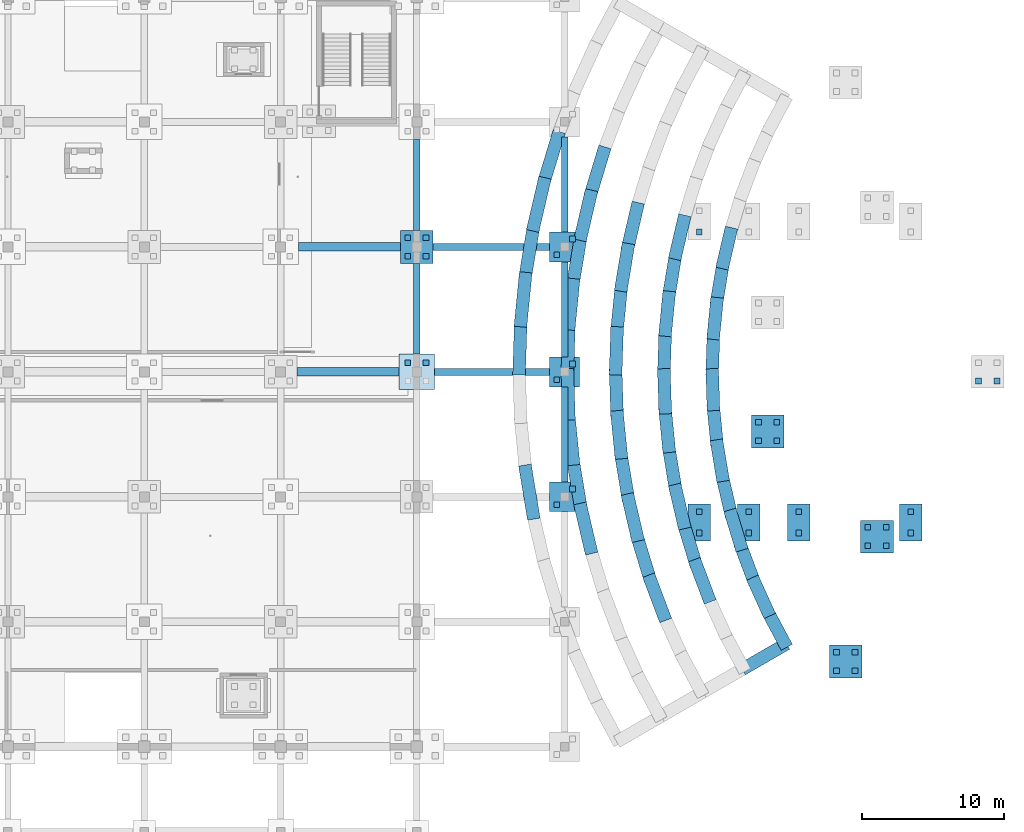
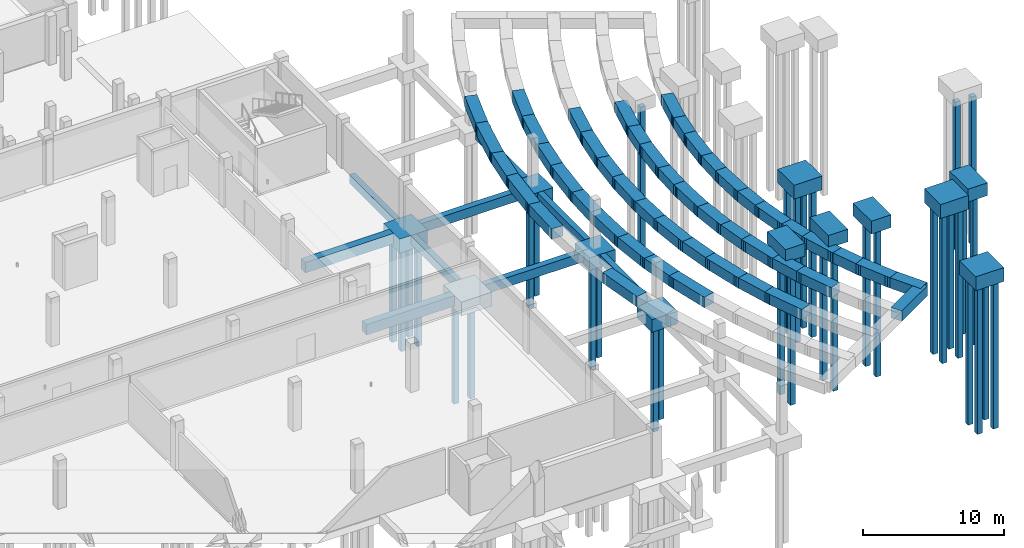
# One storey, part 9 of 31: 69 footings, 35 piles.
"""IFC4 building model written with IfcOpenShell, lengths in metres."""

from ifc_helpers import new_model, si_unit, direction, frame, origin, origin_2d, place, context, subcontext, project, spatial, rectangle, extrude, material, layer, layer_set, material_profile, profile_set, type_object, element, save


model = new_model("IFC4")

# Units and contexts
model_context = context("Model", 3, precision=1e-05, world=origin(), true_north=direction((0.0, 1.0)))
body_context = subcontext(model_context, "Body", "Model", "MODEL_VIEW")
ifc_project = project(units=[si_unit("LENGTHUNIT", "METRE"), si_unit("AREAUNIT", "SQUARE_METRE"), si_unit("VOLUMEUNIT", "CUBIC_METRE"), si_unit("PLANEANGLEUNIT", "RADIAN"), si_unit("MASSUNIT", "GRAM", prefix="KILO")], contexts=[model_context])

# Site, building, storey
site_placement = place(None, origin())
site = spatial("IfcSite", under=ifc_project, at=site_placement, CompositionType="ELEMENT")
building_placement = place(site_placement, origin())
building = spatial("IfcBuilding", under=site, at=building_placement, Name="Chalmorin Arch Market", CompositionType="ELEMENT")
storey_placement = place(building_placement, frame((0.0, 0.0, -4.199951171875)))
storey = spatial("IfcBuildingStorey", under=building, at=storey_placement, Name="B1", CompositionType="ELEMENT", Elevation=-4.199951171875)

# Piles
ifc_material_1 = material(Name="Precast concrete C50/60", Category="concrete")
ifc_material_profile = material_profile(ifc_material_1, rectangle(XDim=0.406005859375, YDim=0.406005859375, at=origin_2d()), Name="PPC406")
ifc_profile_set = profile_set([ifc_material_profile], Name="Precast concrete C50/60")
pile_type = type_object("IfcPileType", Name="DrivenSquarePile-406", PredefinedType="DRIVEN", material=ifc_profile_set)
for number, where, z_axis, x_axis, name in (
    (1, (124.14990234375, 33.050048828125, -1.10009765625), (0.0, 0.0, -1.0), (1.0, 0.0, 0.0), "P-406-705"),
    (2, (125.449951171875, 33.050048828125, -1.10009765625), (0.0, 0.0, -1.0), (1.0, 0.0, 0.0), "P-406-706"),
    (3, (124.14990234375, 40.550048828125, -1.10009765625), (0.0, 0.0, -1.0), (1.0, 0.0, 0.0), "P-406-707"),
    (4, (125.449951171875, 40.550048828125, -1.10009765625), (0.0, 0.0, -1.0), (1.0, 0.0, 0.0), "P-406-708"),
    (5, (124.14990234375, 41.85009765625, -1.10009765625), (0.0, 0.0, -1.0), (1.0, 0.0, 0.0), "P-406-709"),
    (6, (125.449951171875, 41.85009765625, -1.10009765625), (0.0, 0.0, -1.0), (1.0, 0.0, 0.0), "P-406-710"),
):
    element("IfcPile", number, at=place(storey_placement, frame(where, z_axis=z_axis, x_axis=x_axis)), inside=storey, type_object=pile_type, Name=name, PredefinedType="DRIVEN", context=body_context, shape_type="SweptSolid", body=[
        extrude(rectangle(XDim=0.406005859375, YDim=0.406005859375, at=origin_2d()), origin(), (0.0, 0.0, 1.0), 8.89990234375),
    ])
for number, where, z_axis, x_axis, name in (
    (7, (134.64990234375, 23.050048828125, -1.0), (0.0, 0.0, -1.0), (1.0, 0.0, 0.0), "P-406-725"),
    (8, (135.75, 24.14990234375, -1.0), (0.0, 0.0, -1.0), (1.0, 0.0, 0.0), "P-406-726"),
    (9, (134.64990234375, 31.85009765625, -1.0), (0.0, 0.0, -1.0), (1.0, 0.0, 0.0), "P-406-727"),
    (10, (135.75, 32.949951171875, -1.0), (0.0, 0.0, -1.0), (1.0, 0.0, 0.0), "P-406-728"),
    (11, (134.64990234375, 40.64990234375, -1.0), (0.0, 0.0, -1.0), (1.0, 0.0, 0.0), "P-406-729"),
    (12, (135.75, 41.75, -1.0), (0.0, 0.0, -1.0), (1.0, 0.0, 0.0), "P-406-730"),
):
    element("IfcPile", number, at=place(storey_placement, frame(where, z_axis=z_axis, x_axis=x_axis)), inside=storey, type_object=pile_type, Name=name, PredefinedType="DRIVEN", context=body_context, shape_type="SweptSolid", body=[
        extrude(rectangle(XDim=0.406005859375, YDim=0.406005859375, at=origin_2d()), origin(), (0.0, 0.0, 1.0), 9.0),
    ])
for number, where, z_axis, x_axis, name in (
    (13, (154.35009765625, 11.35009765625, 2.800048828125), (0.0, 0.0, -1.0), (1.0, 0.0, 0.0), "P-406-763"),
    (14, (155.64990234375, 11.35009765625, 2.800048828125), (0.0, 0.0, -1.0), (1.0, 0.0, 0.0), "P-406-764"),
    (15, (154.35009765625, 12.64990234375, 2.800048828125), (0.0, 0.0, -1.0), (1.0, 0.0, 0.0), "P-406-765"),
    (16, (155.64990234375, 12.64990234375, 2.800048828125), (0.0, 0.0, -1.0), (1.0, 0.0, 0.0), "P-406-766"),
    (17, (164.35009765625, 31.75, 2.800048828125), (0.0, 0.0, -1.0), (1.0, 0.0, 0.0), "P-406-767"),
    (18, (165.64990234375, 31.75, 2.800048828125), (0.0, 0.0, -1.0), (1.0, 0.0, 0.0), "P-406-768"),
    (19, (148.85009765625, 27.550048828125, 2.800048828125), (0.0, 0.0, -1.0), (1.0, 0.0, 0.0), "P-406-775"),
    (20, (150.14990234375, 27.550048828125, 2.800048828125), (0.0, 0.0, -1.0), (1.0, 0.0, 0.0), "P-406-776"),
    (21, (148.85009765625, 28.85009765625, 2.800048828125), (0.0, 0.0, -1.0), (1.0, 0.0, 0.0), "P-406-777"),
    (22, (150.14990234375, 28.85009765625, 2.800048828125), (0.0, 0.0, -1.0), (1.0, 0.0, 0.0), "P-406-778"),
):
    element("IfcPile", number, at=place(storey_placement, frame(where, z_axis=z_axis, x_axis=x_axis)), inside=storey, type_object=pile_type, Name=name, PredefinedType="DRIVEN", context=body_context, shape_type="SweptSolid", body=[
        extrude(rectangle(XDim=0.406005859375, YDim=0.406005859375, at=origin_2d()), origin(), (0.0, 0.0, 1.0), 12.800048828125),
    ])
for number, where, z_axis, x_axis, name in (
    (23, (156.550048828125, 20.14990234375, 2.919921875), (0.0, 0.0, -1.0), (1.0, 0.0, 0.0), "P-406-783"),
    (24, (157.85009765625, 20.14990234375, 2.919921875), (0.0, 0.0, -1.0), (1.0, 0.0, 0.0), "P-406-784"),
    (25, (156.550048828125, 21.449951171875, 2.919921875), (0.0, 0.0, -1.0), (1.0, 0.0, 0.0), "P-406-785"),
    (26, (157.85009765625, 21.449951171875, 2.919921875), (0.0, 0.0, -1.0), (1.0, 0.0, 0.0), "P-406-786"),
):
    element("IfcPile", number, at=place(storey_placement, frame(where, z_axis=z_axis, x_axis=x_axis)), inside=storey, type_object=pile_type, Name=name, PredefinedType="DRIVEN", context=body_context, shape_type="SweptSolid", body=[
        extrude(rectangle(XDim=0.406005859375, YDim=0.406005859375, at=origin_2d()), origin(), (0.0, 0.0, 1.0), 12.919921875),
    ])
for number, where, z_axis, x_axis, name in (
    (27, (159.574951171875, 21.050048828125, 2.8798828125), (0.0, 0.0, -1.0), (1.0, 0.0, 0.0), "P-406-1103"),
    (28, (159.574951171875, 22.550048828125, 2.8798828125), (0.0, 0.0, -1.0), (1.0, 0.0, 0.0), "P-406-1104"),
    (29, (151.68896484375, 21.050048828125, 2.8798828125), (0.0, 0.0, -1.0), (1.0, 0.0, 0.0), "P-406-1107"),
    (30, (151.68896484375, 22.550048828125, 2.8798828125), (0.0, 0.0, -1.0), (1.0, 0.0, 0.0), "P-406-1108"),
    (31, (148.178955078125, 21.050048828125, 2.8798828125), (0.0, 0.0, -1.0), (1.0, 0.0, 0.0), "P-406-1111"),
    (32, (148.178955078125, 22.550048828125, 2.8798828125), (0.0, 0.0, -1.0), (1.0, 0.0, 0.0), "P-406-1112"),
    (33, (144.68505859375, 21.050048828125, 2.8798828125), (0.0, 0.0, -1.0), (1.0, 0.0, 0.0), "P-406-1115"),
    (34, (144.68505859375, 22.550048828125, 2.8798828125), (0.0, 0.0, -1.0), (1.0, 0.0, 0.0), "P-406-1116"),
    (35, (144.68505859375, 42.25, 2.8798828125), (0.0, 0.0, -1.0), (1.0, 0.0, 0.0), "P-406-1117"),
):
    element("IfcPile", number, at=place(storey_placement, frame(where, z_axis=z_axis, x_axis=x_axis)), inside=storey, type_object=pile_type, Name=name, PredefinedType="DRIVEN", context=body_context, shape_type="SweptSolid", body=[
        extrude(rectangle(XDim=0.406005859375, YDim=0.406005859375, at=origin_2d()), origin(), (0.0, 0.0, 1.0), 12.8798828125),
    ])

# Footings
ifc_material_2 = material(Name="Concrete C40/50", Category="concrete")
ifc_layer_1 = layer(ifc_material_2, 0.75)
ifc_layer_set_1 = layer_set([ifc_layer_1], Name="Concrete C40/50")
footing_type_1 = type_object("IfcFootingType", Name="FoundationTieBeam-450x750-L6400", PredefinedType="FOOTING_BEAM", material=ifc_layer_set_1)
for number, where, z_axis, x_axis, name in (
    (36, (124.800048828125, 36.85009765625, -0.75), (0.0, 0.0, 1.0), (0.0, 1.0, 0.0), "FTB-03-341"),
    (37, (124.800048828125, 45.550048828125, -0.75), (0.0, 0.0, 1.0), (0.0, 1.0, 0.0), "FTB-03-342"),
):
    element("IfcFooting", number, at=place(storey_placement, frame(where, z_axis=z_axis, x_axis=x_axis)), inside=storey, type_object=footing_type_1, Name=name, PredefinedType="FOOTING_BEAM", context=body_context, shape_type="SweptSolid", body=[
        extrude(rectangle(XDim=6.39990234375, YDim=0.449951171875, at=origin_2d()), origin(), (0.0, 0.0, 1.0), 0.75),
    ])
ifc_layer_2 = layer(ifc_material_2, 0.75)
ifc_layer_set_2 = layer_set([ifc_layer_2], Name="Concrete C40/50")
footing_type_2 = type_object("IfcFootingType", Name="FoundationTieBeam-450x750-L6700", PredefinedType="FOOTING_BEAM", material=ifc_layer_set_2)
for number, where, z_axis, x_axis, name in (
    (38, (135.199951171875, 28.0, -0.75), (0.0, 0.0, 1.0), (0.0, 1.0, 0.0), "FTB-03-346"),
    (39, (135.199951171875, 36.800048828125, -0.75), (0.0, 0.0, 1.0), (0.0, 1.0, 0.0), "FTB-03-347"),
    (40, (135.199951171875, 45.60009765625, -0.75), (0.0, 0.0, 1.0), (0.0, 1.0, 0.0), "FTB-03-348"),
):
    element("IfcFooting", number, at=place(storey_placement, frame(where, z_axis=z_axis, x_axis=x_axis)), inside=storey, type_object=footing_type_2, Name=name, PredefinedType="FOOTING_BEAM", context=body_context, shape_type="SweptSolid", body=[
        extrude(rectangle(XDim=6.699951171875, YDim=0.449951171875, at=origin_2d()), origin(), (0.0, 0.0, 1.0), 0.75),
    ])
ifc_layer_3 = layer(ifc_material_2, 0.800048828125)
ifc_layer_set_3 = layer_set([ifc_layer_3], Name="Concrete C40/50")
footing_type_3 = type_object("IfcFootingType", Name="FoundationTieBeam-500x800-L8100", PredefinedType="FOOTING_BEAM", material=ifc_layer_set_3)
footing_1_placement = place(storey_placement, frame((130.10009765625, 32.39990234375, -0.80029296875), z_axis=(0.0, 0.0, 1.0), x_axis=(1.0, 0.0, 0.0)))
element("IfcFooting", 41, at=footing_1_placement, inside=storey, type_object=footing_type_3, Name="FTB-02-069", PredefinedType="FOOTING_BEAM", context=body_context, shape_type="SweptSolid", body=[
    extrude(rectangle(XDim=8.10009765625, YDim=0.5, at=origin_2d()), origin(), (0.0, 0.0, 1.0), 0.800048828125),
])
ifc_layer_4 = layer(ifc_material_2, 0.800048828125)
ifc_layer_set_4 = layer_set([ifc_layer_4], Name="Concrete C40/50")
footing_type_4 = type_object("IfcFootingType", Name="FoundationTieBeam-500x800-L8200", PredefinedType="FOOTING_BEAM", material=ifc_layer_set_4)
footing_2_placement = place(storey_placement, frame((130.050048828125, 41.199951171875, -0.80029296875), z_axis=(0.0, 0.0, 1.0), x_axis=(1.0, 0.0, 0.0)))
element("IfcFooting", 42, at=footing_2_placement, inside=storey, type_object=footing_type_4, Name="FTB-02-083", PredefinedType="FOOTING_BEAM", context=body_context, shape_type="SweptSolid", body=[
    extrude(rectangle(XDim=8.199951171875, YDim=0.5, at=origin_2d()), origin(), (0.0, 0.0, 1.0), 0.800048828125),
])
ifc_layer_5 = layer(ifc_material_2, 0.89990234375)
ifc_layer_set_5 = layer_set([ifc_layer_5], Name="Concrete C40/50")
footing_type_5 = type_object("IfcFootingType", Name="FoundationTieBeam-600x900", PredefinedType="FOOTING_BEAM", material=ifc_layer_set_5)
footing_3_placement = place(storey_placement, frame((146.623046875, 41.114990234375, 2.0), z_axis=(0.0, 0.0, 1.0), x_axis=(-0.226821294859, -0.973936394329, 0.0)))
element("IfcFooting", 43, at=footing_3_placement, inside=storey, type_object=footing_type_5, Name="FTB-A105", PredefinedType="FOOTING_BEAM", context=body_context, shape_type="SweptSolid", body=[
    extrude(rectangle(XDim=2.96337890625, YDim=0.89990234375, at=origin_2d()), origin(), (0.0, 0.0, 1.0), 0.89990234375),
])
footing_4_placement = place(storey_placement, frame((146.133544921875, 38.651611328125, 2.0), z_axis=(0.0, 0.0, 1.0), x_axis=(-0.162809371901, -0.98665754364, 0.0)))
element("IfcFooting", 44, at=footing_4_placement, inside=storey, type_object=footing_type_5, Name="FTB-A106", PredefinedType="FOOTING_BEAM", context=body_context, shape_type="SweptSolid", body=[
    extrude(rectangle(XDim=2.96240234375, YDim=0.89990234375, at=origin_2d()), origin(), (0.0, 0.0, 1.0), 0.89990234375),
])
footing_5_placement = place(storey_placement, frame((145.805419921875, 36.16162109375, 2.0), z_axis=(0.0, 0.0, 1.0), x_axis=(-0.09827767572, -0.995159031741, 0.0)))
element("IfcFooting", 45, at=footing_5_placement, inside=storey, type_object=footing_type_5, Name="FTB-A107", PredefinedType="FOOTING_BEAM", context=body_context, shape_type="SweptSolid", body=[
    extrude(rectangle(XDim=2.963134765625, YDim=0.89990234375, at=origin_2d()), origin(), (0.0, 0.0, 1.0), 0.89990234375),
])
for number, where, z_axis, x_axis, name in (
    (46, (145.64111328125, 33.655517578125, 2.0), (0.0, 0.0, 1.0), (-0.032631862958, -0.999467438949, 0.0), "FTB-A108"),
    (47, (145.64111328125, 31.14453125, 2.0), (0.0, 0.0, 1.0), (0.032631862958, -0.999467438949, 0.0), "FTB-A109"),
):
    element("IfcFooting", number, at=place(storey_placement, frame(where, z_axis=z_axis, x_axis=x_axis)), inside=storey, type_object=footing_type_5, Name=name, PredefinedType="FOOTING_BEAM", context=body_context, shape_type="SweptSolid", body=[
        extrude(rectangle(XDim=2.96240234375, YDim=0.89990234375, at=origin_2d()), origin(), (0.0, 0.0, 1.0), 0.89990234375),
    ])
footing_6_placement = place(storey_placement, frame((145.805419921875, 28.638427734375, 2.0), z_axis=(0.0, 0.0, 1.0), x_axis=(0.09827767572, -0.995159031741, 0.0)))
element("IfcFooting", 48, at=footing_6_placement, inside=storey, type_object=footing_type_5, Name="FTB-A110", PredefinedType="FOOTING_BEAM", context=body_context, shape_type="SweptSolid", body=[
    extrude(rectangle(XDim=2.963134765625, YDim=0.89990234375, at=origin_2d()), origin(), (0.0, 0.0, 1.0), 0.89990234375),
])
footing_7_placement = place(storey_placement, frame((146.133544921875, 26.1484375, 2.0), z_axis=(0.0, 0.0, 1.0), x_axis=(0.162809371901, -0.98665754364, 0.0)))
element("IfcFooting", 49, at=footing_7_placement, inside=storey, type_object=footing_type_5, Name="FTB-A111", PredefinedType="FOOTING_BEAM", context=body_context, shape_type="SweptSolid", body=[
    extrude(rectangle(XDim=2.96240234375, YDim=0.89990234375, at=origin_2d()), origin(), (0.0, 0.0, 1.0), 0.89990234375),
])
footing_8_placement = place(storey_placement, frame((146.623046875, 23.68505859375, 2.0), z_axis=(0.0, 0.0, 1.0), x_axis=(0.226821294859, -0.973936394329, 0.0)))
element("IfcFooting", 50, at=footing_8_placement, inside=storey, type_object=footing_type_5, Name="FTB-A112", PredefinedType="FOOTING_BEAM", context=body_context, shape_type="SweptSolid", body=[
    extrude(rectangle(XDim=2.96337890625, YDim=0.89990234375, at=origin_2d()), origin(), (0.0, 0.0, 1.0), 0.89990234375),
])
footing_9_placement = place(storey_placement, frame((147.27294921875, 21.259033203125, 2.0), z_axis=(0.0, 0.0, 1.0), x_axis=(0.290535193698, -0.956864306588, 0.0)))
element("IfcFooting", 51, at=footing_9_placement, inside=storey, type_object=footing_type_5, Name="FTB-A113", PredefinedType="FOOTING_BEAM", context=body_context, shape_type="SweptSolid", body=[
    extrude(rectangle(XDim=2.96240234375, YDim=0.89990234375, at=origin_2d()), origin(), (0.0, 0.0, 1.0), 0.89990234375),
])
for number, where, z_axis, x_axis, name in (
    (52, (148.08056640625, 18.881103515625, 2.0), (0.0, 0.0, 1.0), (0.352168373381, -0.935936662809, 0.0), "FTB-A114"),
    (53, (149.04150390625, 16.560546875, 2.0), (0.0, 0.0, 1.0), (0.412627540369, -0.910899836935, 0.0), "FTB-A115"),
    (54, (150.152587890625, 14.30810546875, 2.0), (0.0, 0.0, 1.0), (0.471627607116, -0.88179782275, 0.0), "FTB-A116"),
):
    element("IfcFooting", number, at=place(storey_placement, frame(where, z_axis=z_axis, x_axis=x_axis)), inside=storey, type_object=footing_type_5, Name=name, PredefinedType="FOOTING_BEAM", context=body_context, shape_type="SweptSolid", body=[
        extrude(rectangle(XDim=2.962890625, YDim=0.89990234375, at=origin_2d()), origin(), (0.0, 0.0, 1.0), 0.89990234375),
    ])
for number, where, z_axis, x_axis, name in (
    (55, (143.3134765625, 41.886962890625, 2.0), (0.0, 0.0, 1.0), (-0.226991275371, -0.973896791711, 0.0), "FTB-A205"),
    (56, (142.780517578125, 39.20556640625, 2.0), (0.0, 0.0, 1.0), (-0.162637165195, -0.986685944208, 0.0), "FTB-A206"),
    (57, (142.423583984375, 36.4951171875, 2.0), (0.0, 0.0, 1.0), (-0.09827767572, -0.995159031741, 0.0), "FTB-A207"),
    (58, (142.244384765625, 33.76708984375, 2.0), (0.0, 0.0, 1.0), (-0.032457422486, -0.999473119061, 0.0), "FTB-A208"),
    (59, (142.244384765625, 31.032958984375, 2.0), (0.0, 0.0, 1.0), (0.032457422486, -0.999473119061, 0.0), "FTB-A209"),
    (60, (142.423583984375, 28.304931640625, 2.0), (0.0, 0.0, 1.0), (0.09827767572, -0.995159031741, 0.0), "FTB-A210"),
    (61, (142.780517578125, 25.594482421875, 2.0), (0.0, 0.0, 1.0), (0.162637165195, -0.986685944208, 0.0), "FTB-A211"),
    (62, (143.3134765625, 22.9130859375, 2.0), (0.0, 0.0, 1.0), (0.226991275371, -0.973896791711, 0.0), "FTB-A212"),
):
    element("IfcFooting", number, at=place(storey_placement, frame(where, z_axis=z_axis, x_axis=x_axis)), inside=storey, type_object=footing_type_5, Name=name, PredefinedType="FOOTING_BEAM", context=body_context, shape_type="SweptSolid", body=[
        extrude(rectangle(XDim=3.185302734375, YDim=0.89990234375, at=origin_2d()), origin(), (0.0, 0.0, 1.0), 0.89990234375),
    ])
footing_10_placement = place(storey_placement, frame((144.02099609375, 20.2724609375, 2.0), z_axis=(0.0, 0.0, 1.0), x_axis=(0.290368184947, -0.956914999972, 0.0)))
element("IfcFooting", 63, at=footing_10_placement, inside=storey, type_object=footing_type_5, Name="FTB-A213", PredefinedType="FOOTING_BEAM", context=body_context, shape_type="SweptSolid", body=[
    extrude(rectangle(XDim=3.184814453125, YDim=0.89990234375, at=origin_2d()), origin(), (0.0, 0.0, 1.0), 0.89990234375),
])
footing_11_placement = place(storey_placement, frame((144.89990234375, 17.68408203125, 2.0), z_axis=(0.0, 0.0, 1.0), x_axis=(0.352331719779, -0.935875183578, 0.0)))
element("IfcFooting", 64, at=footing_11_placement, inside=storey, type_object=footing_type_5, Name="FTB-A214", PredefinedType="FOOTING_BEAM", context=body_context, shape_type="SweptSolid", body=[
    extrude(rectangle(XDim=3.185546875, YDim=0.89990234375, at=origin_2d()), origin(), (0.0, 0.0, 1.0), 0.89990234375),
])
footing_12_placement = place(storey_placement, frame((140.00439453125, 42.658447265625, 2.0), z_axis=(0.0, 0.0, 1.0), x_axis=(-0.226821294859, -0.973936394329, 0.0)))
element("IfcFooting", 65, at=footing_12_placement, inside=storey, type_object=footing_type_5, Name="FTB-A305", PredefinedType="FOOTING_BEAM", context=body_context, shape_type="SweptSolid", body=[
    extrude(rectangle(XDim=3.408203125, YDim=0.89990234375, at=origin_2d()), origin(), (0.0, 0.0, 1.0), 0.89990234375),
])
footing_13_placement = place(storey_placement, frame((139.427978515625, 39.759033203125, 2.0), z_axis=(0.0, 0.0, 1.0), x_axis=(-0.162981573648, -0.986629113016, 0.0)))
element("IfcFooting", 66, at=footing_13_placement, inside=storey, type_object=footing_type_5, Name="FTB-A306", PredefinedType="FOOTING_BEAM", context=body_context, shape_type="SweptSolid", body=[
    extrude(rectangle(XDim=3.407470703125, YDim=0.89990234375, at=origin_2d()), origin(), (0.0, 0.0, 1.0), 0.89990234375),
])
footing_14_placement = place(storey_placement, frame((139.0419921875, 36.827880859375, 2.0), z_axis=(0.0, 0.0, 1.0), x_axis=(-0.098103986207, -0.995176169274, 0.0)))
element("IfcFooting", 67, at=footing_14_placement, inside=storey, type_object=footing_type_5, Name="FTB-A307", PredefinedType="FOOTING_BEAM", context=body_context, shape_type="SweptSolid", body=[
    extrude(rectangle(XDim=3.408203125, YDim=0.89990234375, at=origin_2d()), origin(), (0.0, 0.0, 1.0), 0.89990234375),
])
for number, where, z_axis, x_axis, name in (
    (68, (138.848388671875, 33.8779296875, 2.0), (0.0, 0.0, 1.0), (-0.032806302436, -0.999461728392, 0.0), "FTB-A308"),
    (69, (138.848388671875, 30.922119140625, 2.0), (0.0, 0.0, 1.0), (0.032806302436, -0.999461728392, 0.0), "FTB-A309"),
):
    element("IfcFooting", number, at=place(storey_placement, frame(where, z_axis=z_axis, x_axis=x_axis)), inside=storey, type_object=footing_type_5, Name=name, PredefinedType="FOOTING_BEAM", context=body_context, shape_type="SweptSolid", body=[
        extrude(rectangle(XDim=3.40771484375, YDim=0.89990234375, at=origin_2d()), origin(), (0.0, 0.0, 1.0), 0.89990234375),
    ])
footing_15_placement = place(storey_placement, frame((139.0419921875, 27.971923828125, 2.0), z_axis=(0.0, 0.0, 1.0), x_axis=(0.098103986207, -0.995176169274, 0.0)))
element("IfcFooting", 70, at=footing_15_placement, inside=storey, type_object=footing_type_5, Name="FTB-A310", PredefinedType="FOOTING_BEAM", context=body_context, shape_type="SweptSolid", body=[
    extrude(rectangle(XDim=3.408203125, YDim=0.89990234375, at=origin_2d()), origin(), (0.0, 0.0, 1.0), 0.89990234375),
])
footing_16_placement = place(storey_placement, frame((139.427978515625, 25.041015625, 2.0), z_axis=(0.0, 0.0, 1.0), x_axis=(0.162981573648, -0.986629113016, 0.0)))
element("IfcFooting", 71, at=footing_16_placement, inside=storey, type_object=footing_type_5, Name="FTB-A311", PredefinedType="FOOTING_BEAM", context=body_context, shape_type="SweptSolid", body=[
    extrude(rectangle(XDim=3.407470703125, YDim=0.89990234375, at=origin_2d()), origin(), (0.0, 0.0, 1.0), 0.89990234375),
])
footing_17_placement = place(storey_placement, frame((140.00439453125, 22.1416015625, 2.0), z_axis=(0.0, 0.0, 1.0), x_axis=(0.226821294859, -0.973936394329, 0.0)))
element("IfcFooting", 72, at=footing_17_placement, inside=storey, type_object=footing_type_5, Name="FTB-A312", PredefinedType="FOOTING_BEAM", context=body_context, shape_type="SweptSolid", body=[
    extrude(rectangle(XDim=3.408203125, YDim=0.89990234375, at=origin_2d()), origin(), (0.0, 0.0, 1.0), 0.89990234375),
])
footing_18_placement = place(storey_placement, frame((140.76953125, 19.285888671875, 2.0), z_axis=(0.0, 0.0, 1.0), x_axis=(0.290368184947, -0.956914999972, 0.0)))
element("IfcFooting", 73, at=footing_18_placement, inside=storey, type_object=footing_type_5, Name="FTB-A313", PredefinedType="FOOTING_BEAM", context=body_context, shape_type="SweptSolid", body=[
    extrude(rectangle(XDim=3.407470703125, YDim=0.89990234375, at=origin_2d()), origin(), (0.0, 0.0, 1.0), 0.89990234375),
])
footing_19_placement = place(storey_placement, frame((141.719970703125, 16.487060546875, 2.0), z_axis=(0.0, 0.0, 1.0), x_axis=(0.352331719779, -0.935875183578, 0.0)))
element("IfcFooting", 74, at=footing_19_placement, inside=storey, type_object=footing_type_5, Name="FTB-A314", PredefinedType="FOOTING_BEAM", context=body_context, shape_type="SweptSolid", body=[
    extrude(rectangle(XDim=3.40771484375, YDim=0.89990234375, at=origin_2d()), origin(), (0.0, 0.0, 1.0), 0.89990234375),
])
footing_20_placement = place(storey_placement, frame((137.517578125, 46.50048828125, 2.0), z_axis=(0.0, 0.0, 1.0), x_axis=(-0.290201167351, -0.956965664205, 0.0)))
element("IfcFooting", 75, at=footing_20_placement, inside=storey, type_object=footing_type_5, Name="FTB-A404", PredefinedType="FOOTING_BEAM", context=body_context, shape_type="SweptSolid", body=[
    extrude(rectangle(XDim=3.6298828125, YDim=0.89990234375, at=origin_2d()), origin(), (0.0, 0.0, 1.0), 0.89990234375),
])
footing_21_placement = place(storey_placement, frame((136.695068359375, 43.429931640625, 2.0), z_axis=(0.0, 0.0, 1.0), x_axis=(-0.226991275371, -0.973896791711, 0.0)))
element("IfcFooting", 76, at=footing_21_placement, inside=storey, type_object=footing_type_5, Name="FTB-A405", PredefinedType="FOOTING_BEAM", context=body_context, shape_type="SweptSolid", body=[
    extrude(rectangle(XDim=3.631103515625, YDim=0.89990234375, at=origin_2d()), origin(), (0.0, 0.0, 1.0), 0.89990234375),
])
footing_22_placement = place(storey_placement, frame((136.074951171875, 40.3125, 2.0), z_axis=(0.0, 0.0, 1.0), x_axis=(-0.162981573648, -0.986629113016, 0.0)))
element("IfcFooting", 77, at=footing_22_placement, inside=storey, type_object=footing_type_5, Name="FTB-A406", PredefinedType="FOOTING_BEAM", context=body_context, shape_type="SweptSolid", body=[
    extrude(rectangle(XDim=3.62939453125, YDim=0.89990234375, at=origin_2d()), origin(), (0.0, 0.0, 1.0), 0.89990234375),
])
footing_23_placement = place(storey_placement, frame((135.659912109375, 37.16162109375, 2.0), z_axis=(0.0, 0.0, 1.0), x_axis=(-0.098103986207, -0.995176169274, 0.0)))
element("IfcFooting", 78, at=footing_23_placement, inside=storey, type_object=footing_type_5, Name="FTB-A407", PredefinedType="FOOTING_BEAM", context=body_context, shape_type="SweptSolid", body=[
    extrude(rectangle(XDim=3.63037109375, YDim=0.89990234375, at=origin_2d()), origin(), (0.0, 0.0, 1.0), 0.89990234375),
])
for number, where, z_axis, x_axis, name in (
    (79, (135.451904296875, 33.989501953125, 2.0), (0.0, 0.0, 1.0), (-0.032631862958, -0.999467438949, 0.0), "FTB-A408"),
    (80, (135.451904296875, 30.810546875, 2.0), (0.0, 0.0, 1.0), (0.032631862958, -0.999467438949, 0.0), "FTB-A409"),
):
    element("IfcFooting", number, at=place(storey_placement, frame(where, z_axis=z_axis, x_axis=x_axis)), inside=storey, type_object=footing_type_5, Name=name, PredefinedType="FOOTING_BEAM", context=body_context, shape_type="SweptSolid", body=[
        extrude(rectangle(XDim=3.630615234375, YDim=0.89990234375, at=origin_2d()), origin(), (0.0, 0.0, 1.0), 0.89990234375),
    ])
footing_24_placement = place(storey_placement, frame((135.659912109375, 27.638427734375, 2.0), z_axis=(0.0, 0.0, 1.0), x_axis=(0.098103986207, -0.995176169274, 0.0)))
element("IfcFooting", 81, at=footing_24_placement, inside=storey, type_object=footing_type_5, Name="FTB-A410", PredefinedType="FOOTING_BEAM", context=body_context, shape_type="SweptSolid", body=[
    extrude(rectangle(XDim=3.63037109375, YDim=0.89990234375, at=origin_2d()), origin(), (0.0, 0.0, 1.0), 0.89990234375),
])
footing_25_placement = place(storey_placement, frame((136.074951171875, 24.487548828125, 2.0), z_axis=(0.0, 0.0, 1.0), x_axis=(0.162981573648, -0.986629113016, 0.0)))
element("IfcFooting", 82, at=footing_25_placement, inside=storey, type_object=footing_type_5, Name="FTB-A411", PredefinedType="FOOTING_BEAM", context=body_context, shape_type="SweptSolid", body=[
    extrude(rectangle(XDim=3.62939453125, YDim=0.89990234375, at=origin_2d()), origin(), (0.0, 0.0, 1.0), 0.89990234375),
])
footing_26_placement = place(storey_placement, frame((136.695068359375, 21.3701171875, 2.0), z_axis=(0.0, 0.0, 1.0), x_axis=(0.226991275371, -0.973896791711, 0.0)))
element("IfcFooting", 83, at=footing_26_placement, inside=storey, type_object=footing_type_5, Name="FTB-A412", PredefinedType="FOOTING_BEAM", context=body_context, shape_type="SweptSolid", body=[
    extrude(rectangle(XDim=3.631103515625, YDim=0.89990234375, at=origin_2d()), origin(), (0.0, 0.0, 1.0), 0.89990234375),
])
footing_27_placement = place(storey_placement, frame((134.26611328125, 47.487060546875, 2.0), z_axis=(0.0, 0.0, 1.0), x_axis=(-0.290368184947, -0.956914999972, 0.0)))
element("IfcFooting", 84, at=footing_27_placement, inside=storey, type_object=footing_type_5, Name="FTB-A504", PredefinedType="FOOTING_BEAM", context=body_context, shape_type="SweptSolid", body=[
    extrude(rectangle(XDim=3.8525390625, YDim=0.89990234375, at=origin_2d()), origin(), (0.0, 0.0, 1.0), 0.89990234375),
])
footing_28_placement = place(storey_placement, frame((133.385498046875, 44.201904296875, 2.0), z_axis=(0.0, 0.0, 1.0), x_axis=(-0.227161248969, -0.973857159427, 0.0)))
element("IfcFooting", 85, at=footing_28_placement, inside=storey, type_object=footing_type_5, Name="FTB-A505", PredefinedType="FOOTING_BEAM", context=body_context, shape_type="SweptSolid", body=[
    extrude(rectangle(XDim=3.85302734375, YDim=0.89990234375, at=origin_2d()), origin(), (0.0, 0.0, 1.0), 0.89990234375),
])
footing_29_placement = place(storey_placement, frame((132.721923828125, 40.865966796875, 2.0), z_axis=(0.0, 0.0, 1.0), x_axis=(-0.162809371901, -0.98665754364, 0.0)))
element("IfcFooting", 86, at=footing_29_placement, inside=storey, type_object=footing_type_5, Name="FTB-A506", PredefinedType="FOOTING_BEAM", context=body_context, shape_type="SweptSolid", body=[
    extrude(rectangle(XDim=3.853515625, YDim=0.89990234375, at=origin_2d()), origin(), (0.0, 0.0, 1.0), 0.89990234375),
])
footing_30_placement = place(storey_placement, frame((132.278076171875, 37.493896484375, 2.0), z_axis=(0.0, 0.0, 1.0), x_axis=(-0.098103986207, -0.995176169274, 0.0)))
element("IfcFooting", 87, at=footing_30_placement, inside=storey, type_object=footing_type_5, Name="FTB-A507", PredefinedType="FOOTING_BEAM", context=body_context, shape_type="SweptSolid", body=[
    extrude(rectangle(XDim=3.852294921875, YDim=0.89990234375, at=origin_2d()), origin(), (0.0, 0.0, 1.0), 0.89990234375),
])
footing_31_placement = place(storey_placement, frame((132.055419921875, 34.1005859375, 2.0), z_axis=(0.0, 0.0, 1.0), x_axis=(-0.032631862958, -0.999467438949, 0.0)))
element("IfcFooting", 88, at=footing_31_placement, inside=storey, type_object=footing_type_5, Name="FTB-A508", PredefinedType="FOOTING_BEAM", context=body_context, shape_type="SweptSolid", body=[
    extrude(rectangle(XDim=3.852783203125, YDim=0.89990234375, at=origin_2d()), origin(), (0.0, 0.0, 1.0), 0.89990234375),
])
footing_32_placement = place(storey_placement, frame((132.721923828125, 23.93408203125, 2.0), z_axis=(0.0, 0.0, 1.0), x_axis=(0.162809371901, -0.98665754364, 0.0)))
element("IfcFooting", 89, at=footing_32_placement, inside=storey, type_object=footing_type_5, Name="FTB-A511", PredefinedType="FOOTING_BEAM", context=body_context, shape_type="SweptSolid", body=[
    extrude(rectangle(XDim=3.853515625, YDim=0.89990234375, at=origin_2d()), origin(), (0.0, 0.0, 1.0), 0.89990234375),
])
footing_33_placement = place(storey_placement, frame((149.2724609375, 12.35009765625, 2.0), z_axis=(0.0, 0.0, 1.0), x_axis=(-0.866025403784, -0.5, 0.0)))
element("IfcFooting", 90, at=footing_33_placement, inside=storey, type_object=footing_type_5, Name="FTB-FNN1", PredefinedType="FOOTING_BEAM", context=body_context, shape_type="SweptSolid", body=[
    extrude(rectangle(XDim=3.619873046875, YDim=0.89990234375, at=origin_2d()), origin(), (0.0, 0.0, 1.0), 0.89990234375),
])
ifc_layer_6 = layer(ifc_material_2, 0.89990234375)
ifc_layer_set_6 = layer_set([ifc_layer_6], Name="Concrete C40/50")
footing_type_6 = type_object("IfcFootingType", Name="FoundationTieBeam-600x900-L7200", PredefinedType="FOOTING_BEAM", material=ifc_layer_set_6)
for number, where, z_axis, x_axis, name in (
    (91, (119.949951171875, 32.39990234375, -0.89990234375), (0.0, 0.0, 1.0), (1.0, 0.0, 0.0), "FTB-01-068"),
    (92, (120.050048828125, 41.199951171875, -0.89990234375), (0.0, 0.0, 1.0), (1.0, 0.0, 0.0), "FTB-01-082"),
):
    element("IfcFooting", number, at=place(storey_placement, frame(where, z_axis=z_axis, x_axis=x_axis)), inside=storey, type_object=footing_type_6, Name=name, PredefinedType="FOOTING_BEAM", context=body_context, shape_type="SweptSolid", body=[
        extrude(rectangle(XDim=7.199951171875, YDim=0.60009765625, at=origin_2d()), origin(), (0.0, 0.0, 1.0), 0.89990234375),
    ])
ifc_layer_7 = layer(ifc_material_2, 1.10009765625)
ifc_layer_set_7 = layer_set([ifc_layer_7], Name="Concrete C40/50")
footing_type_7 = type_object("IfcFootingType", Name="MultiPileCap-2100x2100x1100", PredefinedType="PILE_CAP", material=ifc_layer_set_7)
for number, where, z_axis, x_axis, name in (
    (93, (135.199951171875, 23.60009765625, -1.10009765625), (0.0, 0.0, 1.0), (1.0, 0.0, 0.0), "PC-03-188"),
    (94, (135.199951171875, 32.39990234375, -1.10009765625), (0.0, 0.0, 1.0), (1.0, 0.0, 0.0), "PC-03-189"),
    (95, (135.199951171875, 41.199951171875, -1.10009765625), (0.0, 0.0, 1.0), (1.0, 0.0, 0.0), "PC-03-190"),
):
    element("IfcFooting", number, at=place(storey_placement, frame(where, z_axis=z_axis, x_axis=x_axis)), inside=storey, type_object=footing_type_7, Name=name, PredefinedType="PILE_CAP", context=body_context, shape_type="SweptSolid", body=[
        extrude(rectangle(XDim=2.10009765625, YDim=2.10009765625, at=origin_2d()), origin(), (0.0, 0.0, 1.0), 1.10009765625),
    ])
ifc_layer_8 = layer(ifc_material_2, 1.199951171875)
ifc_layer_set_8 = layer_set([ifc_layer_8], Name="Concrete C40/50")
footing_type_8 = type_object("IfcFootingType", Name="MultiPileCap-2300x2300x1200", PredefinedType="PILE_CAP", material=ifc_layer_set_8)
for number, where, z_axis, x_axis, name in (
    (96, (124.800048828125, 41.199951171875, -1.2001953125), (0.0, 0.0, 1.0), (1.0, 0.0, 0.0), "PC-02-183"),
    (97, (155.0, 12.0, 2.7001953125), (0.0, 0.0, 1.0), (1.0, 0.0, 0.0), "PC-02-200"),
    (98, (149.5, 28.199951171875, 2.7001953125), (0.0, 0.0, 1.0), (1.0, 0.0, 0.0), "PC-02-203"),
    (99, (157.199951171875, 20.800048828125, 2.81982421875), (0.0, 0.0, 1.0), (1.0, 0.0, 0.0), "PC-02-205"),
):
    element("IfcFooting", number, at=place(storey_placement, frame(where, z_axis=z_axis, x_axis=x_axis)), inside=storey, type_object=footing_type_8, Name=name, PredefinedType="PILE_CAP", context=body_context, shape_type="SweptSolid", body=[
        extrude(rectangle(XDim=2.300048828125, YDim=2.300048828125, at=origin_2d()), origin(), (0.0, 0.0, 1.0), 1.199951171875),
    ])
ifc_layer_9 = layer(ifc_material_2, 1.199951171875)
ifc_layer_set_9 = layer_set([ifc_layer_9], Name="Concrete C40/50")
footing_type_9 = type_object("IfcFootingType", Name="MultiPileCap-2500x2500x1200", PredefinedType="PILE_CAP", material=ifc_layer_set_9)
footing_34_placement = place(storey_placement, frame((124.800048828125, 32.39990234375, -1.2001953125), z_axis=(0.0, 0.0, 1.0), x_axis=(1.0, 0.0, 0.0)))
element("IfcFooting", 100, at=footing_34_placement, inside=storey, type_object=footing_type_9, Name="PC-01-182", PredefinedType="PILE_CAP", context=body_context, shape_type="SweptSolid", body=[
    extrude(rectangle(XDim=2.5, YDim=2.5, at=origin_2d()), origin(), (0.0, 0.0, 1.0), 1.199951171875),
])
ifc_layer_10 = layer(ifc_material_2, 1.10009765625)
ifc_layer_set_10 = layer_set([ifc_layer_10], Name="Concrete C40/50")
footing_type_10 = type_object("IfcFootingType", Name="MultiPileCap-2600x1600x1100", PredefinedType="PILE_CAP", material=ifc_layer_set_10)
for number, where, z_axis, x_axis, name in (
    (101, (159.574951171875, 21.800048828125, 2.77978515625), (0.0, 0.0, 1.0), (0.0, 1.0, 0.0), "PC-04-1101"),
    (102, (151.68896484375, 21.800048828125, 2.77978515625), (0.0, 0.0, 1.0), (0.0, 1.0, 0.0), "PC-04-1103"),
    (103, (148.178955078125, 21.800048828125, 2.77978515625), (0.0, 0.0, 1.0), (0.0, 1.0, 0.0), "PC-04-1105"),
    (104, (144.68505859375, 21.800048828125, 2.77978515625), (0.0, 0.0, 1.0), (0.0, 1.0, 0.0), "PC-04-1107"),
):
    element("IfcFooting", number, at=place(storey_placement, frame(where, z_axis=z_axis, x_axis=x_axis)), inside=storey, type_object=footing_type_10, Name=name, PredefinedType="PILE_CAP", context=body_context, shape_type="SweptSolid", body=[
        extrude(rectangle(XDim=2.60009765625, YDim=1.60009765625, at=origin_2d()), origin(), (0.0, 0.0, 1.0), 1.10009765625),
    ])

save(model, "model.ifc")
